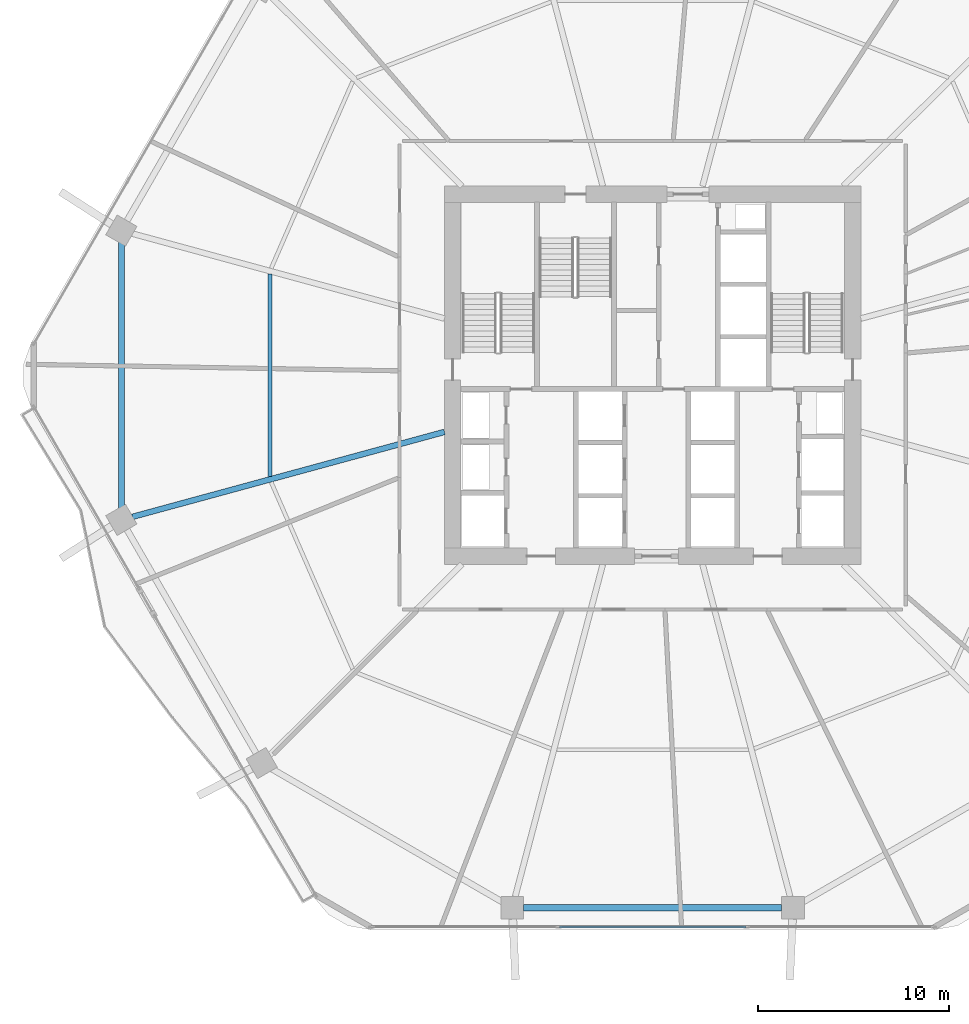
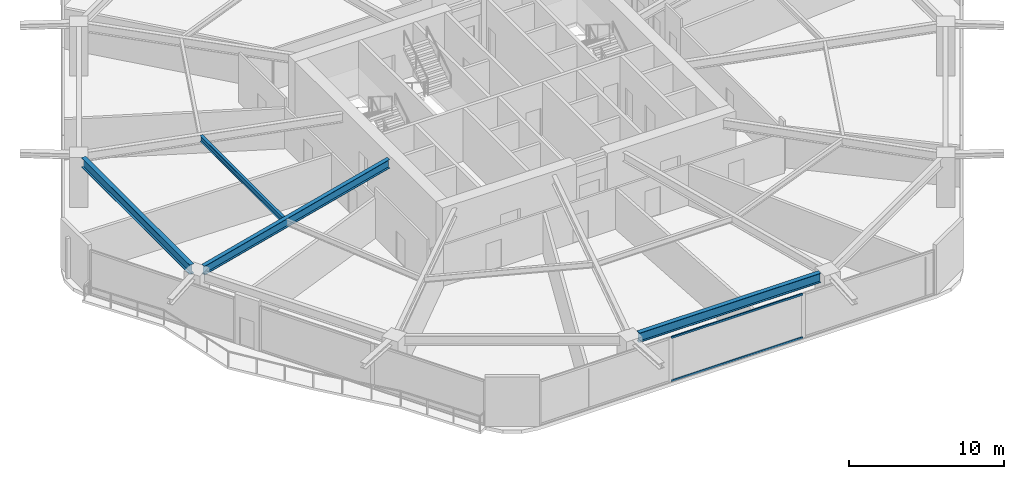
# One storey, part 6 of 27: 4 beams, 2 members, 1 element without a shape of its own.
"""IFC4 building model written with IfcOpenShell, lengths in metres."""

from ifc_helpers import new_model, si_unit, direction, frame, origin, origin_2d, place, context, subcontext, project, spatial, hollow_rectangle, i_section, extrude, material, material_profile, profile_set, type_object, element, aggregate, save


model = new_model("IFC4")

# Units and contexts
model_context = context("Model", 3, precision=1e-05, world=origin(), true_north=direction((0.0, 1.0)))
body_context = subcontext(model_context, "Body", "Model", "MODEL_VIEW")
ifc_project = project(units=[si_unit("LENGTHUNIT", "METRE"), si_unit("AREAUNIT", "SQUARE_METRE"), si_unit("VOLUMEUNIT", "CUBIC_METRE"), si_unit("PLANEANGLEUNIT", "RADIAN"), si_unit("MASSUNIT", "GRAM", prefix="KILO")], contexts=[model_context])

# Site, building, storey
site_placement = place(None, origin())
site = spatial("IfcSite", under=ifc_project, at=site_placement, CompositionType="ELEMENT")
building_placement = place(site_placement, origin())
building = spatial("IfcBuilding", under=site, at=building_placement, Name="Zuhravey Tower", CompositionType="ELEMENT")
storey_placement = place(building_placement, frame((0.0, 0.0, 12.0)))
storey = spatial("IfcBuildingStorey", under=building, at=storey_placement, Name="L03", CompositionType="ELEMENT", Elevation=12.0)

# Curtain wall, members
ifc_material_1 = material(Name="Thermally broken anodised aluminium", Category="aluminium")
curtain_wall_type = type_object("IfcCurtainWallType", Name="School Low-E Unitised Curtain Wall CW1", PredefinedType="NOTDEFINED", material=ifc_material_1)
curtain_wall_placement = place(storey_placement, origin())
curtain_wall = element("IfcCurtainWall", 1, at=curtain_wall_placement, inside=storey, type_object=curtain_wall_type, Name="L03 CW1 CW-L03-F5-1", PredefinedType="NOTDEFINED")
ifc_material_2 = material(Name="Anodised aluminium", Category="aluminium")
ifc_material_profile_1 = material_profile(ifc_material_2, hollow_rectangle(XDim=0.090087890625, YDim=0.14990234375, WallThickness=0.0048828125, at=origin_2d()), Name="ALU-RHS-90x150x5")
ifc_profile_set_1 = profile_set([ifc_material_profile_1], Name="Anodised aluminium")
member_type = type_object("IfcMemberType", Name="Curtain-Wall Transom 90x150", PredefinedType="USERDEFINED", material=ifc_profile_set_1)
member_1_placement = place(storey_placement, frame((40.88818359375, 3.04150390625, 0.044921875), z_axis=(-1.0, 0.0, 0.0), x_axis=(0.0, -1.0, 0.0)))
member_1 = element("IfcMember", 2, at=member_1_placement, type_object=member_type, Name="CW1 transom 2.1", ObjectType="TRANSOM", PredefinedType="USERDEFINED", context=body_context, shape_type="SweptSolid", body=[
    extrude(hollow_rectangle(XDim=0.090087890625, YDim=0.14990234375, WallThickness=0.0048828125, at=origin_2d()), origin(), (0.0, 0.0, 1.0), 9.7763671875),
])
member_2_placement = place(storey_placement, frame((40.88818359375, 3.04150390625, 3.447021484375), z_axis=(-1.0, 0.0, 0.0), x_axis=(0.0, -1.0, 0.0)))
member_2 = element("IfcMember", 3, at=member_2_placement, type_object=member_type, Name="CW1 transom 2.2", ObjectType="TRANSOM", PredefinedType="USERDEFINED", context=body_context, shape_type="SweptSolid", body=[
    extrude(hollow_rectangle(XDim=0.090087890625, YDim=0.14990234375, WallThickness=0.0048828125, at=origin_2d()), origin(), (0.0, 0.0, 1.0), 9.7763671875),
])
aggregate(curtain_wall, [member_1, member_2])

# Beams
ifc_material_3 = material(Name="Steel SM355", Category="steel")
ifc_material_profile_2 = material_profile(ifc_material_3, i_section(OverallWidth=0.320068359375, OverallDepth=0.75, WebThickness=0.013916015625, FlangeThickness=0.02490234375, at=origin_2d()), Name="H-750x320x14x25")
ifc_profile_set_2 = profile_set([ifc_material_profile_2], Name="Steel SM355")
beam_type_1 = type_object("IfcBeamType", Name="Perimeter Ring Beam H750x320", PredefinedType="BEAM", material=ifc_profile_set_2)
beam_1_placement = place(storey_placement, frame((8.11083984375, 38.988525390625, 3.544921875), z_axis=(0.0, -1.0, 0.0), x_axis=(1.0, 0.0, 0.0)))
element("IfcBeam", 4, at=beam_1_placement, inside=storey, type_object=beam_type_1, Name="L03 PB1 BM-L03-PB-06", PredefinedType="BEAM", context=body_context, shape_type="SweptSolid", body=[
    extrude(i_section(OverallWidth=0.320068359375, OverallDepth=0.75, WebThickness=0.013916015625, FlangeThickness=0.02490234375, at=origin_2d()), origin(), (0.0, 0.0, 1.0), 13.97705078125),
])
beam_2_placement = place(storey_placement, frame((29.23291015625, 4.051513671875, 3.544921875), z_axis=(1.0, 0.0, 0.0), x_axis=(0.0, 1.0, 0.0)))
element("IfcBeam", 5, at=beam_2_placement, inside=storey, type_object=beam_type_1, Name="L03 PB1 BM-L03-PB-09", PredefinedType="BEAM", context=body_context, shape_type="SweptSolid", body=[
    extrude(i_section(OverallWidth=0.320068359375, OverallDepth=0.75, WebThickness=0.013916015625, FlangeThickness=0.02490234375, at=origin_2d()), origin(), (0.0, 0.0, 1.0), 13.5341796875),
])
ifc_material_profile_3 = material_profile(ifc_material_3, i_section(OverallWidth=0.300048828125, OverallDepth=0.699951171875, WebThickness=0.012939453125, FlangeThickness=0.02392578125, at=origin_2d()), Name="H-700x300x13x24")
ifc_profile_set_3 = profile_set([ifc_material_profile_3], Name="Steel SM355")
beam_type_2 = type_object("IfcBeamType", Name="Radial Primary Girder H700x300", PredefinedType="BEAM", material=ifc_profile_set_3)
beam_3_placement = place(storey_placement, frame((25.072021484375, 29.025390625, 3.570068359375), z_axis=(-0.964892480455, -0.26264520015, 0.0), x_axis=(0.26264520015, -0.964892480455, 0.0)))
element("IfcBeam", 6, at=beam_3_placement, inside=storey, type_object=beam_type_2, Name="L03 RG1 BM-L03-RAD-07", PredefinedType="BEAM", context=body_context, shape_type="SweptSolid", body=[
    extrude(i_section(OverallWidth=0.300048828125, OverallDepth=0.699951171875, WebThickness=0.012939453125, FlangeThickness=0.02392578125, at=origin_2d()), origin(), (0.0, 0.0, 1.0), 16.975341796875),
])
ifc_material_profile_4 = material_profile(ifc_material_3, i_section(OverallWidth=0.199951171875, OverallDepth=0.449951171875, WebThickness=0.009033203125, FlangeThickness=0.013916015625, at=origin_2d()), Name="H-450x200x9x14")
ifc_profile_set_4 = profile_set([ifc_material_profile_4], Name="Steel SM355")
beam_type_3 = type_object("IfcBeamType", Name="Secondary Floor Joist H450x200", PredefinedType="JOIST", material=ifc_profile_set_4)
beam_4_placement = place(storey_placement, frame((15.9130859375, 37.313720703125, 3.695068359375), z_axis=(0.0, -1.0, 0.0), x_axis=(1.0, 0.0, 0.0)))
element("IfcBeam", 7, at=beam_4_placement, inside=storey, type_object=beam_type_3, Name="L03 SJ1 BM-L03-SJ-06-1", PredefinedType="JOIST", context=body_context, shape_type="SweptSolid", body=[
    extrude(i_section(OverallWidth=0.199951171875, OverallDepth=0.449951171875, WebThickness=0.009033203125, FlangeThickness=0.013916015625, at=origin_2d()), origin(), (0.0, 0.0, 1.0), 10.62744140625),
])

save(model, "model.ifc")
